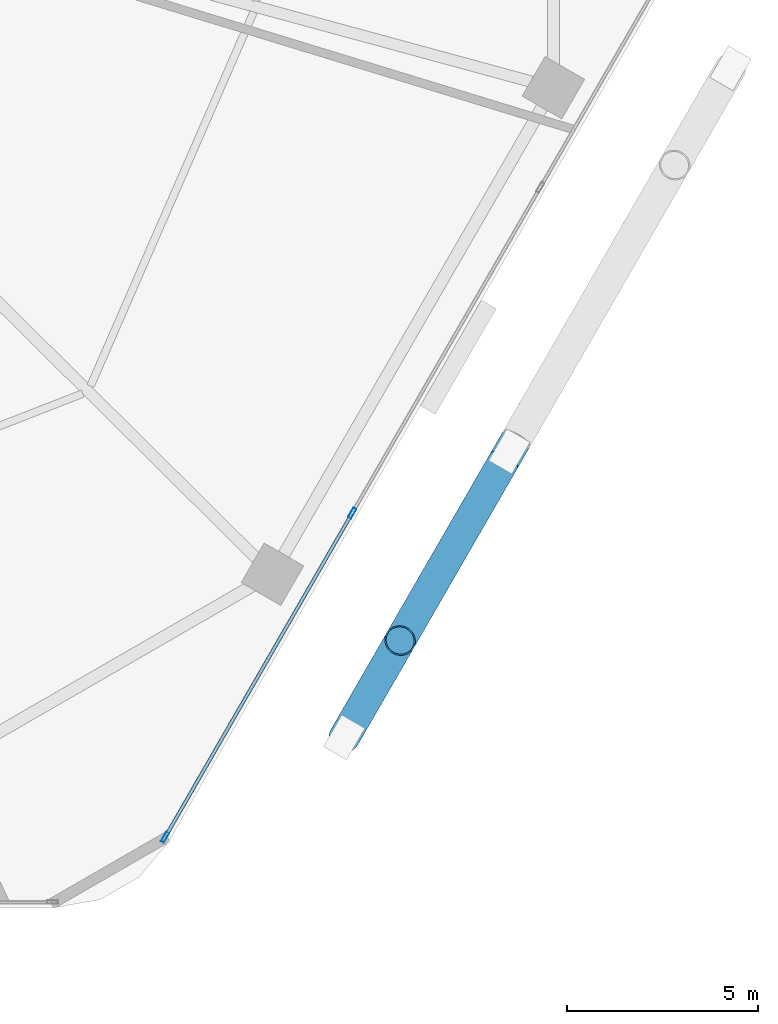
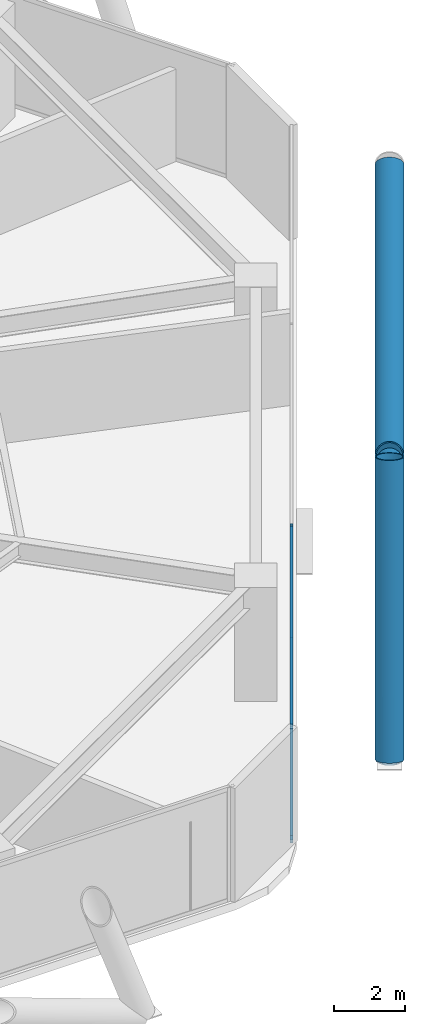
# One storey, part 9 of 30: 7 members, 1 element without a shape of its own.
"""IFC4 building model written with IfcOpenShell, lengths in metres."""

from ifc_helpers import new_model, si_unit, direction, frame, origin, origin_2d, place, context, subcontext, project, spatial, hollow_rectangle, hollow_circle, extrude, material, material_profile, profile_set, type_object, element, aggregate, save


model = new_model("IFC4")

# Units and contexts
model_context = context("Model", 3, precision=1e-05, world=origin(), true_north=direction((0.0, 1.0)))
body_context = subcontext(model_context, "Body", "Model", "MODEL_VIEW")
ifc_project = project(units=[si_unit("LENGTHUNIT", "METRE"), si_unit("AREAUNIT", "SQUARE_METRE"), si_unit("VOLUMEUNIT", "CUBIC_METRE"), si_unit("PLANEANGLEUNIT", "RADIAN"), si_unit("MASSUNIT", "GRAM", prefix="KILO")], contexts=[model_context])

# Site, building, storey
site_placement = place(None, origin())
site = spatial("IfcSite", under=ifc_project, at=site_placement, CompositionType="ELEMENT")
building_placement = place(site_placement, origin())
building = spatial("IfcBuilding", under=site, at=building_placement, Name="Zuhravey Tower", CompositionType="ELEMENT")
storey_placement = place(building_placement, frame((0.0, 0.0, 58.199951171875)))
storey = spatial("IfcBuildingStorey", under=building, at=storey_placement, Name="L14", CompositionType="ELEMENT", Elevation=58.199951171875)

# Curtain wall, members
ifc_material_1 = material(Name="Thermally broken anodised aluminium", Category="aluminium")
curtain_wall_type = type_object("IfcCurtainWallType", Name="School Low-E Unitised Curtain Wall CW1", PredefinedType="NOTDEFINED", material=ifc_material_1)
curtain_wall_placement = place(storey_placement, origin())
curtain_wall = element("IfcCurtainWall", 1, at=curtain_wall_placement, inside=storey, type_object=curtain_wall_type, Name="L14 CW1 CW-L14-F6-1", PredefinedType="NOTDEFINED")
ifc_material_2 = material(Name="Anodised aluminium", Category="aluminium")
ifc_material_profile_1 = material_profile(ifc_material_2, hollow_rectangle(XDim=0.090087890625, YDim=0.284912109375, WallThickness=0.0048828125, at=origin_2d()), Name="ALU-RHS-90x285x5")
ifc_profile_set_1 = profile_set([ifc_material_profile_1], Name="Anodised aluminium")
member_type_1 = type_object("IfcMemberType", Name="Curtain-Wall Mullion 90x180", PredefinedType="MULLION", material=ifc_profile_set_1)
member_1_placement = place(storey_placement, frame((58.612060546875, 13.24853515625, 0.0), z_axis=(0.0, 0.0, 1.0), x_axis=(0.86602552265, -0.499999794119, 0.0)))
member_1 = element("IfcMember", 2, at=member_1_placement, type_object=member_type_1, Name="CW1 mullion 3", PredefinedType="MULLION", context=body_context, shape_type="SweptSolid", body=[
    extrude(hollow_rectangle(XDim=0.090087890625, YDim=0.284912109375, WallThickness=0.0048828125, at=origin_2d()), origin(), (0.0, 0.0, 1.0), 3.920166015625),
])
member_2_placement = place(storey_placement, frame((53.701416015625, 4.742919921875, 0.0), z_axis=(0.0, 0.0, 1.0), x_axis=(0.86602552265, -0.499999794119, 0.0)))
member_2 = element("IfcMember", 3, at=member_2_placement, type_object=member_type_1, Name="CW1 mullion 4", PredefinedType="MULLION", context=body_context, shape_type="SweptSolid", body=[
    extrude(hollow_rectangle(XDim=0.090087890625, YDim=0.284912109375, WallThickness=0.0048828125, at=origin_2d()), origin(), (0.0, 0.0, 1.0), 3.920166015625),
])
ifc_material_profile_2 = material_profile(ifc_material_2, hollow_rectangle(XDim=0.090087890625, YDim=0.14990234375, WallThickness=0.0048828125, at=origin_2d()), Name="ALU-RHS-90x150x5")
ifc_profile_set_2 = profile_set([ifc_material_profile_2], Name="Anodised aluminium")
member_type_2 = type_object("IfcMemberType", Name="Curtain-Wall Transom 90x150", PredefinedType="USERDEFINED", material=ifc_profile_set_2)
member_3_placement = place(storey_placement, frame((58.589599609375, 13.20947265625, 0.045166015625), z_axis=(-0.499989576763, -0.86603142156, 0.0), x_axis=(0.86603142156, -0.499989576763, 0.0)))
member_3 = element("IfcMember", 4, at=member_3_placement, type_object=member_type_2, Name="CW1 transom 3.1", ObjectType="TRANSOM", PredefinedType="USERDEFINED", context=body_context, shape_type="SweptSolid", body=[
    extrude(hollow_rectangle(XDim=0.090087890625, YDim=0.14990234375, WallThickness=0.0048828125, at=origin_2d()), origin(), (0.0, 0.0, 1.0), 9.731201171875),
])
member_4_placement = place(storey_placement, frame((58.589599609375, 13.20947265625, 3.875), z_axis=(-0.499989576763, -0.86603142156, 0.0), x_axis=(0.86603142156, -0.499989576763, 0.0)))
member_4 = element("IfcMember", 5, at=member_4_placement, type_object=member_type_2, Name="CW1 transom 3.2", ObjectType="TRANSOM", PredefinedType="USERDEFINED", context=body_context, shape_type="SweptSolid", body=[
    extrude(hollow_rectangle(XDim=0.090087890625, YDim=0.14990234375, WallThickness=0.0048828125, at=origin_2d()), origin(), (0.0, 0.0, 1.0), 9.731201171875),
])
aggregate(curtain_wall, [member_1, member_2, member_3, member_4])

# Members
ifc_material_3 = material(Name="Steel SM460", Category="steel")
ifc_material_profile_3 = material_profile(ifc_material_3, hollow_circle(Radius=0.406494140625, WallThickness=0.035888671875, at=origin_2d()), Name="CHS-812.8x36")
ifc_profile_set_3 = profile_set([ifc_material_profile_3], Name="Steel SM460")
member_type_3 = type_object("IfcMemberType", Name="Exoskeleton Zone 1 Diagrid CHS813x36", PredefinedType="BRACE", material=ifc_profile_set_3)
member_5_placement = place(storey_placement, frame((58.404541015625, 7.36865234375, -0.471923828125), z_axis=(0.165307317227, 0.286358046605, 0.943754501984), x_axis=(-0.866053660865, 0.499951054106, 0.0)))
element("IfcMember", 6, at=member_5_placement, inside=storey, type_object=member_type_3, Name="L14 Face 6 Diagrid Brace 1", PredefinedType="BRACE", context=body_context, shape_type="SweptSolid", body=[
    extrude(hollow_circle(Radius=0.406494140625, WallThickness=0.035888671875, at=origin_2d()), origin(), (0.0, 0.0, 1.0), 8.85400390625),
])
member_6_placement = place(storey_placement, frame((58.42333984375, 7.4013671875, -0.471923828125), z_axis=(0.449932637588, 0.779312332372, 0.436156978902), x_axis=(-0.866027110715, 0.499997043497, 0.0)))
element("IfcMember", 7, at=member_6_placement, inside=storey, type_object=member_type_3, Name="L14 Face 6 Diagrid Brace 2", PredefinedType="BRACE", context=body_context, shape_type="SweptSolid", body=[
    extrude(hollow_circle(Radius=0.406494140625, WallThickness=0.035888671875, at=origin_2d()), origin(), (0.0, 0.0, 1.0), 19.158203125),
])
member_7_placement = place(storey_placement, frame((62.573486328125, 14.589599609375, 3.940673828125), z_axis=(-0.403092056741, -0.69816190232, 0.59168129254), x_axis=(0.866021056018, -0.500007530476, 0.0)))
element("IfcMember", 8, at=member_7_placement, inside=storey, type_object=member_type_3, Name="L14 Face 6 Split Diagrid Brace 3B", PredefinedType="BRACE", context=body_context, shape_type="SweptSolid", body=[
    extrude(hollow_circle(Radius=0.406494140625, WallThickness=0.035888671875, at=origin_2d()), origin(), (0.0, 0.0, 1.0), 6.6513671875),
])

save(model, "model.ifc")
